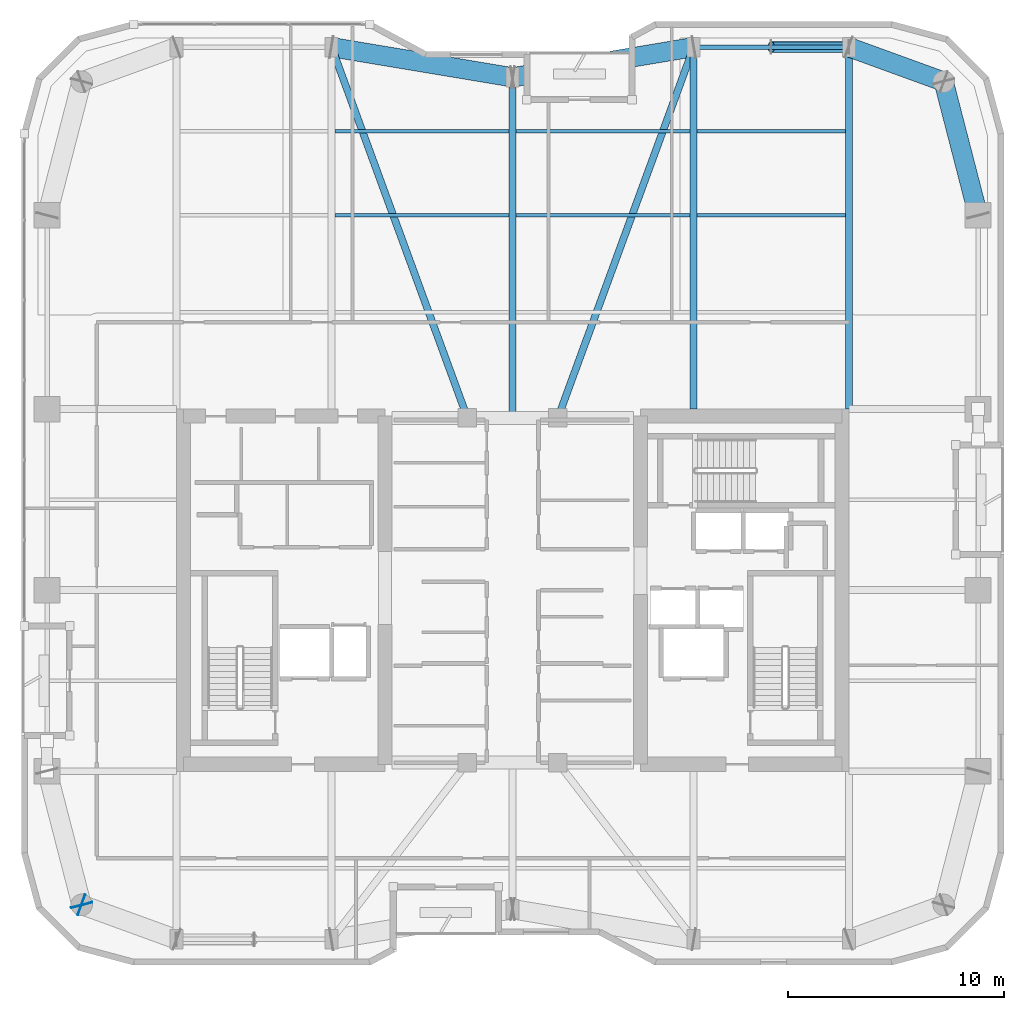
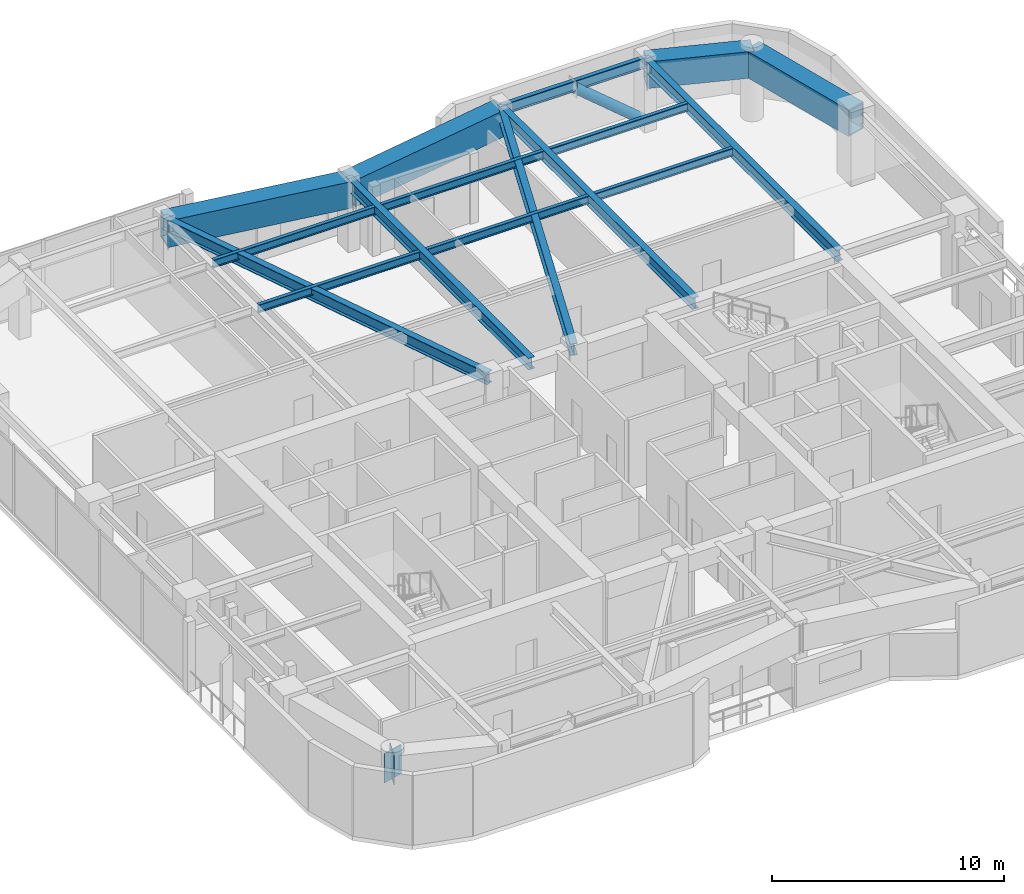
# One storey, part 11 of 21: 16 beams, 2 plates, 1 member.
"""IFC4 building model written with IfcOpenShell, lengths in metres."""

from ifc_helpers import new_model, si_unit, direction, frame, origin, origin_2d, place, context, subcontext, project, spatial, rectangle, hollow_rectangle, hollow_circle, i_section, extrude, material, layer, layer_set, material_profile, profile_set, type_object, element, save


model = new_model("IFC4")

# Units and contexts
model_context = context("Model", 3, precision=1e-05, world=origin(), true_north=direction((0.0, 1.0)))
body_context = subcontext(model_context, "Body", "Model", "MODEL_VIEW")
ifc_project = project(units=[si_unit("LENGTHUNIT", "METRE"), si_unit("AREAUNIT", "SQUARE_METRE"), si_unit("VOLUMEUNIT", "CUBIC_METRE"), si_unit("PLANEANGLEUNIT", "RADIAN"), si_unit("MASSUNIT", "GRAM", prefix="KILO")], contexts=[model_context])

# Site, building, storey
site_placement = place(None, origin())
site = spatial("IfcSite", under=ifc_project, at=site_placement, CompositionType="ELEMENT")
building_placement = place(site_placement, origin())
building = spatial("IfcBuilding", under=site, at=building_placement, Name="Kiyonajd Concourse Tower", CompositionType="ELEMENT")
storey_placement = place(building_placement, frame((0.0, 0.0, 227.10009765625)))
storey = spatial("IfcBuildingStorey", under=building, at=storey_placement, Name="L57", CompositionType="ELEMENT", Elevation=227.10009765625)

# Beams
ifc_material_1 = material(Name="Steel ASTM A992 Grade 50", Category="steel")
ifc_material_profile_1 = material_profile(ifc_material_1, i_section(OverallWidth=0.180908203125, OverallDepth=0.4169921875, WebThickness=0.010986328125, FlangeThickness=0.018310546875, at=origin_2d()), Name="W410X85")
ifc_profile_set_1 = profile_set([ifc_material_profile_1], Name="Steel ASTM A992 Grade 50")
beam_type_1 = type_object("IfcBeamType", Name="BM-JST-410", PredefinedType="JOIST", material=ifc_profile_set_1)
for number, where, z_axis, x_axis, name in (
    (1, (39.761962890625, 53.39990234375, 3.471435546875), (1.0, 0.0, 0.0), (0.0, 1.0, 0.0), "L57 Secondary Floor Joist"),
    (2, (48.162109375, 53.39990234375, 3.471435546875), (1.0, 0.0, 0.0), (0.0, 1.0, 0.0), "L57 Secondary Floor Joist"),
):
    element("IfcBeam", number, at=place(storey_placement, frame(where, z_axis=z_axis, x_axis=x_axis)), inside=storey, type_object=beam_type_1, Name=name, PredefinedType="JOIST", context=body_context, shape_type="SweptSolid", body=[
        extrude(i_section(OverallWidth=0.180908203125, OverallDepth=0.4169921875, WebThickness=0.010986328125, FlangeThickness=0.018310546875, at=origin_2d()), origin(), (0.0, 0.0, 1.0), 8.075927734375),
    ])
beam_1_placement = place(storey_placement, frame((56.56201171875, 53.39990234375, 3.471435546875), z_axis=(1.0, 0.0, 0.0), x_axis=(0.0, 1.0, 0.0)))
element("IfcBeam", 3, at=beam_1_placement, inside=storey, type_object=beam_type_1, Name="L57 Secondary Floor Joist", PredefinedType="JOIST", context=body_context, shape_type="SweptSolid", body=[
    extrude(i_section(OverallWidth=0.180908203125, OverallDepth=0.4169921875, WebThickness=0.010986328125, FlangeThickness=0.018310546875, at=origin_2d()), origin(), (0.0, 0.0, 1.0), 6.8759765625),
])
for number, where, z_axis, x_axis, name in (
    (4, (39.761962890625, 57.300048828125, 3.471435546875), (1.0, 0.0, 0.0), (0.0, 1.0, 0.0), "L57 Secondary Floor Joist"),
    (5, (48.162109375, 57.300048828125, 3.471435546875), (1.0, 0.0, 0.0), (0.0, 1.0, 0.0), "L57 Secondary Floor Joist"),
):
    element("IfcBeam", number, at=place(storey_placement, frame(where, z_axis=z_axis, x_axis=x_axis)), inside=storey, type_object=beam_type_1, Name=name, PredefinedType="JOIST", context=body_context, shape_type="SweptSolid", body=[
        extrude(i_section(OverallWidth=0.180908203125, OverallDepth=0.4169921875, WebThickness=0.010986328125, FlangeThickness=0.018310546875, at=origin_2d()), origin(), (0.0, 0.0, 1.0), 8.075927734375),
    ])
beam_2_placement = place(storey_placement, frame((56.56201171875, 57.300048828125, 3.471435546875), z_axis=(1.0, 0.0, 0.0), x_axis=(0.0, 1.0, 0.0)))
element("IfcBeam", 6, at=beam_2_placement, inside=storey, type_object=beam_type_1, Name="L57 Secondary Floor Joist", PredefinedType="JOIST", context=body_context, shape_type="SweptSolid", body=[
    extrude(i_section(OverallWidth=0.180908203125, OverallDepth=0.4169921875, WebThickness=0.010986328125, FlangeThickness=0.018310546875, at=origin_2d()), origin(), (0.0, 0.0, 1.0), 6.8759765625),
])
ifc_material_profile_2 = material_profile(ifc_material_1, i_section(OverallWidth=0.214111328125, OverallDepth=0.549072265625, WebThickness=0.0146484375, FlangeThickness=0.023681640625, at=origin_2d()), Name="W530X138")
ifc_profile_set_2 = profile_set([ifc_material_profile_2], Name="Steel ASTM A992 Grade 50")
beam_type_2 = type_object("IfcBeamType", Name="BM-SPAN-530A", PredefinedType="SPANDREL", material=ifc_profile_set_2)
beam_3_placement = place(storey_placement, frame((63.60009765625, 61.199951171875, 3.405517578125), z_axis=(-1.0, 0.0, 0.0), x_axis=(0.0, -1.0, 0.0)))
element("IfcBeam", 7, at=beam_3_placement, inside=storey, type_object=beam_type_2, Name="L57 Perimeter Bundled Tube Spandrel", PredefinedType="SPANDREL", context=body_context, shape_type="SweptSolid", body=[
    extrude(i_section(OverallWidth=0.214111328125, OverallDepth=0.549072265625, WebThickness=0.0146484375, FlangeThickness=0.023681640625, at=origin_2d()), origin(), (0.0, 0.0, 1.0), 7.2001953125),
])
ifc_material_profile_3 = material_profile(ifc_material_1, i_section(OverallWidth=0.326904296875, OverallDepth=0.6220703125, WebThickness=0.015380859375, FlangeThickness=0.0244140625, at=origin_2d()), Name="W610X195")
ifc_profile_set_3 = profile_set([ifc_material_profile_3], Name="Steel ASTM A992 Grade 50")
beam_type_3 = type_object("IfcBeamType", Name="BM-TWR-610A", PredefinedType="BEAM", material=ifc_profile_set_3)
for number, where, z_axis, x_axis, name in (
    (8, (39.60009765625, 61.199951171875, 3.368896484375), (0.343925269715, -0.938997022813, 0.0), (0.938997022813, 0.343925269715, 0.0), "L57 Core Tie Girder"),
    (9, (50.10009765625, 44.0, 3.368896484375), (0.343925269715, 0.938997022813, 0.0), (-0.938997022813, 0.343925269715, 0.0), "L57 Core Tie Girder"),
):
    element("IfcBeam", number, at=place(storey_placement, frame(where, z_axis=z_axis, x_axis=x_axis)), inside=storey, type_object=beam_type_3, Name=name, PredefinedType="BEAM", context=body_context, shape_type="SweptSolid", body=[
        extrude(i_section(OverallWidth=0.326904296875, OverallDepth=0.6220703125, WebThickness=0.015380859375, FlangeThickness=0.0244140625, at=origin_2d()), origin(), (0.0, 0.0, 1.0), 18.3173828125),
    ])
ifc_material_profile_4 = material_profile(ifc_material_1, i_section(OverallWidth=0.323974609375, OverallDepth=0.611083984375, WebThickness=0.0126953125, FlangeThickness=0.01904296875, at=origin_2d()), Name="W610X155")
ifc_profile_set_4 = profile_set([ifc_material_profile_4], Name="Steel ASTM A992 Grade 50")
beam_type_4 = type_object("IfcBeamType", Name="BM-TWR-610B", PredefinedType="BEAM", material=ifc_profile_set_4)
for number, where, z_axis, x_axis, name in (
    (10, (56.39990234375, 44.39990234375, 3.37451171875), (0.0, 1.0, 0.0), (-1.0, 0.0, 0.0), "L57 North Lease Girder"),
    (11, (63.60009765625, 44.39990234375, 3.37451171875), (0.0, 1.0, 0.0), (-1.0, 0.0, 0.0), "L57 North Lease Girder"),
):
    element("IfcBeam", number, at=place(storey_placement, frame(where, z_axis=z_axis, x_axis=x_axis)), inside=storey, type_object=beam_type_4, Name=name, PredefinedType="BEAM", context=body_context, shape_type="SweptSolid", body=[
        extrude(i_section(OverallWidth=0.323974609375, OverallDepth=0.611083984375, WebThickness=0.0126953125, FlangeThickness=0.01904296875, at=origin_2d()), origin(), (0.0, 0.0, 1.0), 16.800048828125),
    ])
beam_4_placement = place(storey_placement, frame((48.0, 44.0, 3.37451171875), z_axis=(0.0, 1.0, 0.0), x_axis=(-1.0, 0.0, 0.0)))
element("IfcBeam", 12, at=beam_4_placement, inside=storey, type_object=beam_type_4, Name="L57 North Ribbon Girder", PredefinedType="BEAM", context=body_context, shape_type="SweptSolid", body=[
    extrude(i_section(OverallWidth=0.323974609375, OverallDepth=0.611083984375, WebThickness=0.0126953125, FlangeThickness=0.01904296875, at=origin_2d()), origin(), (0.0, 0.0, 1.0), 15.800048828125),
])
ifc_material_2 = material(Name="Steel ASTM A572 Grade 50", Category="steel")
ifc_material_profile_5 = material_profile(ifc_material_2, hollow_rectangle(XDim=0.89990234375, YDim=1.39990234375, WallThickness=0.070068359375, at=origin_2d()), Name="BOX-1400x900x70")
ifc_profile_set_5 = profile_set([ifc_material_profile_5], Name="Steel ASTM A572 Grade 50")
beam_type_5 = type_object("IfcBeamType", Name="BM-XFER-1400", PredefinedType="BEAM", material=ifc_profile_set_5)
beam_5_placement = place(storey_placement, frame((69.60009765625, 53.39990234375, 2.97998046875), z_axis=(-0.249884937687, 0.968275538221, 0.0), x_axis=(-0.968275538221, -0.249884937687, 0.0)))
element("IfcBeam", 13, at=beam_5_placement, inside=storey, type_object=beam_type_5, Name="L57 Perimeter Bundled Tube Spandrel", PredefinedType="BEAM", context=body_context, shape_type="SweptSolid", body=[
    extrude(hollow_rectangle(XDim=0.89990234375, YDim=1.39990234375, WallThickness=0.070068359375, at=origin_2d()), origin(), (0.0, 0.0, 1.0), 6.4033203125),
])
beam_6_placement = place(storey_placement, frame((68.0, 59.60009765625, 2.97998046875), z_axis=(-0.939801036019, 0.341722127901, 0.0), x_axis=(-0.341722127901, -0.939801036019, 0.0)))
element("IfcBeam", 14, at=beam_6_placement, inside=storey, type_object=beam_type_5, Name="L57 Perimeter Bundled Tube Spandrel", PredefinedType="BEAM", context=body_context, shape_type="SweptSolid", body=[
    extrude(hollow_rectangle(XDim=0.89990234375, YDim=1.39990234375, WallThickness=0.070068359375, at=origin_2d()), origin(), (0.0, 0.0, 1.0), 4.681640625),
])
for number, where, z_axis, x_axis, name in (
    (15, (56.39990234375, 61.199951171875, 2.97998046875), (-0.986395473479, -0.164389689151, 0.0), (0.164389689151, -0.986395473479, 0.0), "L57 Perimeter Bundled Tube Spandrel"),
    (16, (48.0, 59.800048828125, 2.97998046875), (-0.986395473479, 0.164389689151, 0.0), (-0.164389689151, -0.986395473479, 0.0), "L57 Perimeter Bundled Tube Spandrel"),
):
    element("IfcBeam", number, at=place(storey_placement, frame(where, z_axis=z_axis, x_axis=x_axis)), inside=storey, type_object=beam_type_5, Name=name, PredefinedType="BEAM", context=body_context, shape_type="SweptSolid", body=[
        extrude(hollow_rectangle(XDim=0.89990234375, YDim=1.39990234375, WallThickness=0.070068359375, at=origin_2d()), origin(), (0.0, 0.0, 1.0), 8.515869140625),
    ])

# Member
ifc_material_3 = material(Name="Steel ASTM A500 Grade C", Category="steel")
ifc_material_profile_6 = material_profile(ifc_material_3, hollow_circle(Radius=0.25390625, WallThickness=0.02197265625, at=origin_2d()), Name="CHS-508x22")
ifc_profile_set_6 = profile_set([ifc_material_profile_6], Name="Steel ASTM A500 Grade C")
member_type = type_object("IfcMemberType", Name="MB-PB-MID", PredefinedType="BRACE", material=ifc_profile_set_6)
member_placement = place(storey_placement, frame((63.60009765625, 61.199951171875, 0.2998046875), z_axis=(-0.765082043761, 0.0, 0.643932811957), x_axis=(0.0, -1.0, 0.0)))
element("IfcMember", 17, at=member_placement, inside=storey, type_object=member_type, Name="L57 Upper Zone Hollow Tube Brace PBN", PredefinedType="BRACE", context=body_context, shape_type="SweptSolid", body=[
    extrude(hollow_circle(Radius=0.25390625, WallThickness=0.02197265625, at=origin_2d()), origin(), (0.0, 0.0, 1.0), 4.70556640625),
])

# Plates
ifc_layer = layer(ifc_material_2, 0.031982421875)
ifc_layer_set = layer_set([ifc_layer], Name="Steel ASTM A572 Grade 50")
plate_type = type_object("IfcPlateType", Name="PL-CAP-540", PredefinedType="USERDEFINED", material=ifc_layer_set)
for number, where, z_axis, x_axis, name in (
    (18, (28.002685546875, 21.389404296875, 2.2099609375), (0.0, 0.0, 1.0), (0.249873048837, -0.968278606324, 0.0), "L57 Welded Box Girder End Cap"),
    (19, (27.98974609375, 21.40380859375, 2.2099609375), (0.0, 0.0, 1.0), (-0.939811951086, 0.341692107891, 0.0), "L57 Welded Box Girder End Cap"),
):
    element("IfcPlate", number, at=place(storey_placement, frame(where, z_axis=z_axis, x_axis=x_axis)), inside=storey, type_object=plate_type, Name=name, ObjectType="CAP PLATE", PredefinedType="USERDEFINED", context=body_context, shape_type="SweptSolid", body=[
        extrude(rectangle(XDim=0.035888671875, YDim=1.02001953125, at=origin_2d()), origin(), (0.0, 0.0, 1.0), 1.5400390625),
    ])

save(model, "model.ifc")
